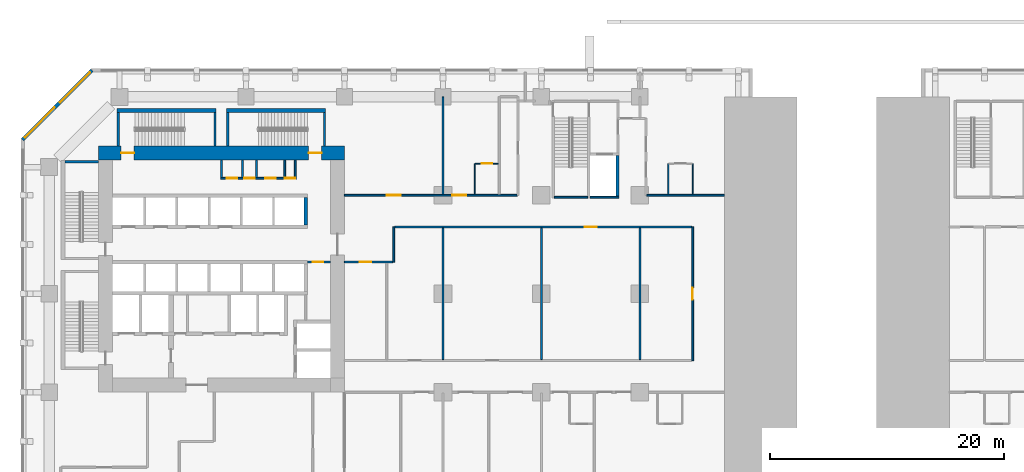
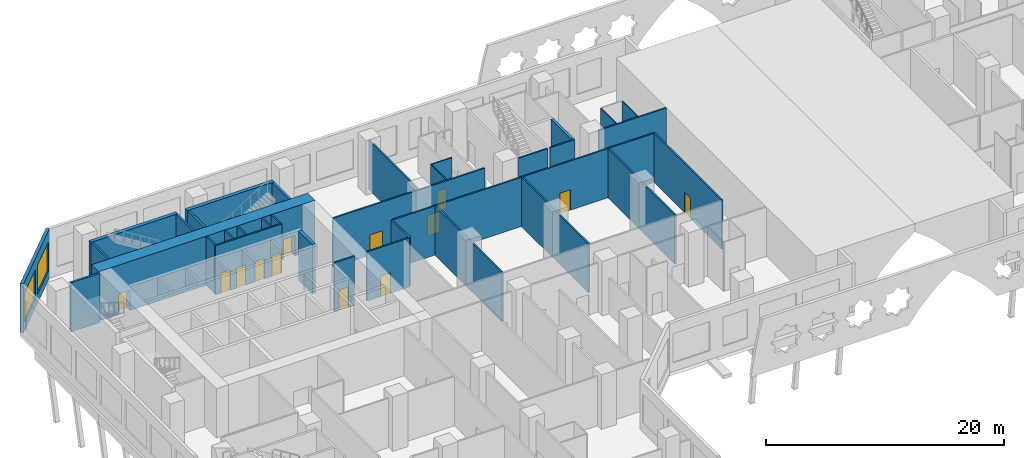
# One storey, part 11 of 24: 34 walls, 13 doors, 2 windows, 15 openings.
"""IFC4 building model written with IfcOpenShell, lengths in metres."""

from ifc_helpers import new_model, si_unit, direction, frame, frame_2d, origin, place, context, subcontext, project, spatial, rectangle, extrude, material, layer, layer_set, type_object, element, fill, save


model = new_model("IFC4")

# Units and contexts
model_context = context("Model", 3, precision=1e-05, world=origin(), true_north=direction((0.0, 1.0)))
body_context = subcontext(model_context, "Body", "Model", "MODEL_VIEW")
ifc_project = project(units=[si_unit("LENGTHUNIT", "METRE"), si_unit("AREAUNIT", "SQUARE_METRE"), si_unit("VOLUMEUNIT", "CUBIC_METRE"), si_unit("PLANEANGLEUNIT", "RADIAN"), si_unit("MASSUNIT", "GRAM", prefix="KILO")], contexts=[model_context])

# Site, building, storey
site_placement = place(None, origin())
site = spatial("IfcSite", under=ifc_project, at=site_placement, CompositionType="ELEMENT")
building_placement = place(site_placement, origin())
building = spatial("IfcBuilding", under=site, at=building_placement, Name="Kawkab Arch Medical Tower", CompositionType="ELEMENT")
storey_placement = place(building_placement, frame((0.0, 0.0, 18.199951171875)))
storey = spatial("IfcBuildingStorey", under=building, at=storey_placement, Name="L04", CompositionType="ELEMENT", Elevation=18.199951171875)

# Wall, openings, doors
ifc_material_1 = material(Name="Concrete C60/75", Category="concrete")
ifc_layer_1 = layer(ifc_material_1, 1.199951171875)
ifc_layer_set_1 = layer_set([ifc_layer_1], Name="Concrete C60/75")
wall_type_1 = type_object("IfcWallType", Name="Core ring wall 1200 C60/75", PredefinedType="SHEAR", material=ifc_layer_set_1)
wall_1_placement = place(storey_placement, frame((4.199951171875, -4.800048828125, 0.0), z_axis=(0.0, 0.0, 1.0), x_axis=(1.0, 0.0, 0.0)))
wall_1 = element("IfcWall", 1, at=wall_1_placement, inside=storey, type_object=wall_type_1, Name="L04 core wall", PredefinedType="SHEAR", context=body_context, shape_type="SweptSolid", body=[
    extrude(rectangle(XDim=21.0, YDim=1.199951171875, at=frame_2d((10.5, 0.0))), origin(), (0.0, 0.0, 1.0), 5.050048828125),
])
opening_1_placement = place(wall_1_placement, frame((1.949951171875, 0.0, 0.0)))
opening_1 = element("IfcOpeningElement", 2, at=opening_1_placement, cuts=wall_1, Name="Opening SD", PredefinedType="OPENING", context=body_context, shape_type="SweptSolid", body=[
    extrude(rectangle(XDim=1.10009765625, YDim=2.10009765625, at=frame_2d((0.550048828125, 1.050048828125))), frame((0.0, 0.60986328125, 0.0), z_axis=(0.0, -1.0, 0.0), x_axis=(1.0, 0.0, 0.0)), (0.0, 0.0, 1.0), 1.219970703125),
])
opening_2_placement = place(wall_1_placement, frame((17.949951171875, 0.0, 0.0)))
opening_2 = element("IfcOpeningElement", 3, at=opening_2_placement, cuts=wall_1, Name="Opening SD", PredefinedType="OPENING", context=body_context, shape_type="SweptSolid", body=[
    extrude(rectangle(XDim=1.10009765625, YDim=2.10009765625, at=frame_2d((0.550048828125, 1.050048828125))), frame((0.0, 0.60986328125, 0.0), z_axis=(0.0, -1.0, 0.0), x_axis=(1.0, 0.0, 0.0)), (0.0, 0.0, 1.0), 1.219970703125),
])
ifc_material_2 = material(Name="Hollow metal fire door leaf")
door_type_1 = type_object("IfcDoorType", Name="Exit stair door 1100", OperationType="SINGLE_SWING_LEFT", PredefinedType="DOOR", material=ifc_material_2)
door_1_placement = place(opening_1_placement, origin())
door_1 = element("IfcDoor", 4, at=door_1_placement, inside=storey, type_object=door_type_1, Name="L04 Exit stair ST3 door", OperationType="SINGLE_SWING_LEFT", OverallHeight=2.10009765625, OverallWidth=1.10009765625, PredefinedType="DOOR", context=body_context, shape_type="SweptSolid", body=[
    extrude(rectangle(XDim=1.10009765625, YDim=2.10009765625, at=frame_2d((0.550048828125, 1.050048828125))), frame((0.0, 0.02490234375, 0.0), z_axis=(0.0, -1.0, 0.0), x_axis=(1.0, 0.0, 0.0)), (0.0, 0.0, 1.0), 0.050048828125),
])
fill(opening_1, door_1)
door_2_placement = place(opening_2_placement, origin())
door_2 = element("IfcDoor", 5, at=door_2_placement, inside=storey, type_object=door_type_1, Name="L04 Exit stair ST4 door", OperationType="SINGLE_SWING_LEFT", OverallHeight=2.10009765625, OverallWidth=1.10009765625, PredefinedType="DOOR", context=body_context, shape_type="SweptSolid", body=[
    extrude(rectangle(XDim=1.10009765625, YDim=2.10009765625, at=frame_2d((0.550048828125, 1.050048828125))), frame((0.0, 0.02490234375, 0.0), z_axis=(0.0, -1.0, 0.0), x_axis=(1.0, 0.0, 0.0)), (0.0, 0.0, 1.0), 0.050048828125),
])
fill(opening_2, door_2)

# Wall, opening, door
ifc_material_3 = material(Name="Gypsum board on steel studs", Category="steel")
ifc_layer_2 = layer(ifc_material_3, 0.14990234375)
ifc_layer_set_2 = layer_set([ifc_layer_2], Name="Gypsum board on steel studs")
wall_type_2 = type_object("IfcWallType", Name="Core room partition 150", PredefinedType="PARTITIONING", material=ifc_layer_set_2)
wall_2_placement = place(storey_placement, frame((22.050048828125, -14.10009765625, 0.0), z_axis=(0.0, 0.0, 1.0), x_axis=(1.0, 0.0, 0.0)))
wall_2 = element("IfcWall", 6, at=wall_2_placement, inside=storey, type_object=wall_type_2, Name="L04 core room partition", PredefinedType="PARTITIONING", context=body_context, shape_type="SweptSolid", body=[
    extrude(rectangle(XDim=1.949951171875, YDim=0.14990234375, at=frame_2d((0.97509765625, 0.0))), origin(), (0.0, 0.0, 1.0), 5.050048828125),
])
opening_3_placement = place(wall_2_placement, frame((0.449951171875, 0.0, 0.0)))
opening_3 = element("IfcOpeningElement", 7, at=opening_3_placement, cuts=wall_2, Name="Opening RD", PredefinedType="OPENING", context=body_context, shape_type="SweptSolid", body=[
    extrude(rectangle(XDim=0.89990234375, YDim=2.10009765625, at=frame_2d((0.449951171875, 1.050048828125))), frame((0.0, 0.0849609375, 0.0), z_axis=(0.0, -1.0, 0.0), x_axis=(1.0, 0.0, 0.0)), (0.0, 0.0, 1.0), 0.169921875),
])
ifc_material_4 = material(Name="Hollow metal fire door leaf")
door_type_2 = type_object("IfcDoorType", Name="Core room door 900", OperationType="SINGLE_SWING_LEFT", PredefinedType="DOOR", material=ifc_material_4)
door_3_placement = place(opening_3_placement, origin())
door_3 = element("IfcDoor", 8, at=door_3_placement, inside=storey, type_object=door_type_2, Name="L04 Data room door", OperationType="SINGLE_SWING_LEFT", OverallHeight=2.10009765625, OverallWidth=0.89990234375, PredefinedType="DOOR", context=body_context, shape_type="SweptSolid", body=[
    extrude(rectangle(XDim=0.89990234375, YDim=2.10009765625, at=frame_2d((0.449951171875, 1.050048828125))), frame((0.0, 0.02490234375, 0.0), z_axis=(0.0, -1.0, 0.0), x_axis=(1.0, 0.0, 0.0)), (0.0, 0.0, 1.0), 0.050048828125),
])
fill(opening_3, door_3)

# Wall, openings, doors
wall_3_placement = place(storey_placement, frame((14.625, -6.949951171875, 0.0), z_axis=(0.0, 0.0, 1.0), x_axis=(1.0, 0.0, 0.0)))
wall_3 = element("IfcWall", 9, at=wall_3_placement, inside=storey, type_object=wall_type_2, Name="L04 core room partition", PredefinedType="PARTITIONING", context=body_context, shape_type="SweptSolid", body=[
    extrude(rectangle(XDim=6.449951171875, YDim=0.14990234375, at=frame_2d((3.22509765625, 0.0))), origin(), (0.0, 0.0, 1.0), 5.050048828125),
])
opening_4_placement = place(wall_3_placement, frame((0.52490234375, 0.0, 0.0)))
opening_4 = element("IfcOpeningElement", 10, at=opening_4_placement, cuts=wall_3, Name="Opening RD", PredefinedType="OPENING", context=body_context, shape_type="SweptSolid", body=[
    extrude(rectangle(XDim=0.89990234375, YDim=2.10009765625, at=frame_2d((0.449951171875, 1.050048828125))), frame((0.0, 0.0849609375, 0.0), z_axis=(0.0, -1.0, 0.0), x_axis=(1.0, 0.0, 0.0)), (0.0, 0.0, 1.0), 0.169921875),
])
opening_5_placement = place(wall_3_placement, frame((2.02490234375, 0.0, 0.0)))
opening_5 = element("IfcOpeningElement", 11, at=opening_5_placement, cuts=wall_3, Name="Opening RD", PredefinedType="OPENING", context=body_context, shape_type="SweptSolid", body=[
    extrude(rectangle(XDim=0.89990234375, YDim=2.10009765625, at=frame_2d((0.449951171875, 1.050048828125))), frame((0.0, 0.0849609375, 0.0), z_axis=(0.0, -1.0, 0.0), x_axis=(1.0, 0.0, 0.0)), (0.0, 0.0, 1.0), 0.169921875),
])
opening_6_placement = place(wall_3_placement, frame((3.824951171875, 0.0, 0.0)))
opening_6 = element("IfcOpeningElement", 12, at=opening_6_placement, cuts=wall_3, Name="Opening RD", PredefinedType="OPENING", context=body_context, shape_type="SweptSolid", body=[
    extrude(rectangle(XDim=0.89990234375, YDim=2.10009765625, at=frame_2d((0.449951171875, 1.050048828125))), frame((0.0, 0.0849609375, 0.0), z_axis=(0.0, -1.0, 0.0), x_axis=(1.0, 0.0, 0.0)), (0.0, 0.0, 1.0), 0.169921875),
])
opening_7_placement = place(wall_3_placement, frame((5.47509765625, 0.0, 0.0)))
opening_7 = element("IfcOpeningElement", 13, at=opening_7_placement, cuts=wall_3, Name="Opening RD", PredefinedType="OPENING", context=body_context, shape_type="SweptSolid", body=[
    extrude(rectangle(XDim=0.89990234375, YDim=2.10009765625, at=frame_2d((0.449951171875, 1.050048828125))), frame((0.0, 0.0849609375, 0.0), z_axis=(0.0, -1.0, 0.0), x_axis=(1.0, 0.0, 0.0)), (0.0, 0.0, 1.0), 0.169921875),
])
door_4_placement = place(opening_4_placement, origin())
door_4 = element("IfcDoor", 14, at=door_4_placement, inside=storey, type_object=door_type_2, Name="L04 Comms room door", OperationType="SINGLE_SWING_LEFT", OverallHeight=2.10009765625, OverallWidth=0.89990234375, PredefinedType="DOOR", context=body_context, shape_type="SweptSolid", body=[
    extrude(rectangle(XDim=0.89990234375, YDim=2.10009765625, at=frame_2d((0.449951171875, 1.050048828125))), frame((0.0, 0.02490234375, 0.0), z_axis=(0.0, -1.0, 0.0), x_axis=(1.0, 0.0, 0.0)), (0.0, 0.0, 1.0), 0.050048828125),
])
fill(opening_4, door_4)
door_5_placement = place(opening_5_placement, origin())
door_5 = element("IfcDoor", 15, at=door_5_placement, inside=storey, type_object=door_type_2, Name="L04 Electrical riser room door", OperationType="SINGLE_SWING_LEFT", OverallHeight=2.10009765625, OverallWidth=0.89990234375, PredefinedType="DOOR", context=body_context, shape_type="SweptSolid", body=[
    extrude(rectangle(XDim=0.89990234375, YDim=2.10009765625, at=frame_2d((0.449951171875, 1.050048828125))), frame((0.0, 0.02490234375, 0.0), z_axis=(0.0, -1.0, 0.0), x_axis=(1.0, 0.0, 0.0)), (0.0, 0.0, 1.0), 0.050048828125),
])
fill(opening_5, door_5)
door_6_placement = place(opening_6_placement, origin())
door_6 = element("IfcDoor", 16, at=door_6_placement, inside=storey, type_object=door_type_2, Name="L04 General store door", OperationType="SINGLE_SWING_LEFT", OverallHeight=2.10009765625, OverallWidth=0.89990234375, PredefinedType="DOOR", context=body_context, shape_type="SweptSolid", body=[
    extrude(rectangle(XDim=0.89990234375, YDim=2.10009765625, at=frame_2d((0.449951171875, 1.050048828125))), frame((0.0, 0.02490234375, 0.0), z_axis=(0.0, -1.0, 0.0), x_axis=(1.0, 0.0, 0.0)), (0.0, 0.0, 1.0), 0.050048828125),
])
fill(opening_6, door_6)
door_7_placement = place(opening_7_placement, origin())
door_7 = element("IfcDoor", 17, at=door_7_placement, inside=storey, type_object=door_type_2, Name="L04 UPS room door", OperationType="SINGLE_SWING_LEFT", OverallHeight=2.10009765625, OverallWidth=0.89990234375, PredefinedType="DOOR", context=body_context, shape_type="SweptSolid", body=[
    extrude(rectangle(XDim=0.89990234375, YDim=2.10009765625, at=frame_2d((0.449951171875, 1.050048828125))), frame((0.0, 0.02490234375, 0.0), z_axis=(0.0, -1.0, 0.0), x_axis=(1.0, 0.0, 0.0)), (0.0, 0.0, 1.0), 0.050048828125),
])
fill(opening_7, door_7)

# Walls
for number, where, z_axis, x_axis, name in (
    (18, (14.699951171875, -6.875, 0.0), (0.0, 0.0, 1.0), (0.0, 1.0, 0.0), "L04 core room partition"),
    (19, (16.5, -6.875, 0.0), (0.0, 0.0, 1.0), (0.0, 1.0, 0.0), "L04 core room partition"),
    (20, (17.699951171875, -6.875, 0.0), (0.0, 0.0, 1.0), (0.0, 1.0, 0.0), "L04 core room partition"),
    (21, (20.10009765625, -6.875, 0.0), (0.0, 0.0, 1.0), (0.0, 1.0, 0.0), "L04 core room partition"),
    (22, (21.0, -6.875, 0.0), (0.0, 0.0, 1.0), (0.0, 1.0, 0.0), "L04 core room partition"),
):
    element("IfcWall", number, at=place(storey_placement, frame(where, z_axis=z_axis, x_axis=x_axis)), inside=storey, type_object=wall_type_2, Name=name, PredefinedType="PARTITIONING", context=body_context, shape_type="SweptSolid", body=[
        extrude(rectangle(XDim=1.47509765625, YDim=0.14990234375, at=frame_2d((0.737548828125, 0.0))), origin(), (0.0, 0.0, 1.0), 5.050048828125),
    ])
ifc_material_5 = material(Name="Concrete C60/75", Category="concrete")
ifc_layer_3 = layer(ifc_material_5, 0.25)
ifc_layer_set_3 = layer_set([ifc_layer_3], Name="Concrete C60/75")
wall_type_3 = type_object("IfcWallType", Name="Core shear wall 250 C60/75", PredefinedType="SHEAR", material=ifc_layer_set_3)
wall_4_placement = place(storey_placement, frame((48.47509765625, -8.5, 0.0), z_axis=(0.0, 0.0, 1.0), x_axis=(0.0, 1.0, 0.0)))
element("IfcWall", 23, at=wall_4_placement, inside=storey, type_object=wall_type_3, Name="L04 core shear wall", PredefinedType="SHEAR", context=body_context, shape_type="SweptSolid", body=[
    extrude(rectangle(XDim=3.47509765625, YDim=0.25, at=frame_2d((1.737548828125, 0.0))), origin(), (0.0, 0.0, 1.0), 5.050048828125),
])
ifc_material_6 = material(Name="Concrete C60/75", Category="concrete")
ifc_layer_4 = layer(ifc_material_6, 0.300048828125)
ifc_layer_set_4 = layer_set([ifc_layer_4], Name="Concrete C60/75")
wall_type_4 = type_object("IfcWallType", Name="Core shear wall 300 C60/75", PredefinedType="SHEAR", material=ifc_layer_set_4)
wall_5_placement = place(storey_placement, frame((21.89990234375, -10.949951171875, 0.0), z_axis=(0.0, 0.0, 1.0), x_axis=(0.0, 1.0, 0.0)))
element("IfcWall", 24, at=wall_5_placement, inside=storey, type_object=wall_type_4, Name="L04 core shear wall", PredefinedType="SHEAR", context=body_context, shape_type="SweptSolid", body=[
    extrude(rectangle(XDim=2.349853515625, YDim=0.300048828125, at=frame_2d((1.1748046875, 0.0))), origin(), (0.0, 0.0, 1.0), 5.050048828125),
])

# Wall, opening, door
ifc_material_7 = material(Name="Gypsum board partition on steel studs", Category="steel")
ifc_layer_5 = layer(ifc_material_7, 0.10009765625)
ifc_layer_set_5 = layer_set([ifc_layer_5], Name="Gypsum board partition on steel studs")
wall_type_5 = type_object("IfcWallType", Name="Partition 100", PredefinedType="PARTITIONING", material=ifc_layer_set_5)
wall_6_placement = place(storey_placement, frame((36.35009765625, -5.699951171875, 0.0), z_axis=(0.0, 0.0, 1.0), x_axis=(1.0, 0.0, 0.0)))
wall_6 = element("IfcWall", 25, at=wall_6_placement, inside=storey, type_object=wall_type_5, Name="Partition 100 w019", PredefinedType="PARTITIONING", context=body_context, shape_type="SweptSolid", body=[
    extrude(rectangle(XDim=1.974853515625, YDim=0.10009765625, at=frame_2d((0.9873046875, 0.0))), origin(), (0.0, 0.0, 1.0), 5.050048828125),
])
opening_8_placement = place(wall_6_placement, frame((0.550048828125, 0.0, 0.0)))
opening_8 = element("IfcOpeningElement", 26, at=opening_8_placement, cuts=wall_6, Name="Opening P04-001", PredefinedType="OPENING", context=body_context, shape_type="SweptSolid", body=[
    extrude(rectangle(XDim=0.89990234375, YDim=2.10009765625, at=frame_2d((0.449951171875, 1.050048828125))), frame((0.0, 0.06005859375, 0.0), z_axis=(0.0, -1.0, 0.0), x_axis=(1.0, 0.0, 0.0)), (0.0, 0.0, 1.0), 0.1201171875),
])
ifc_material_8 = material(Name="Timber door leaf", Category="wood")
door_type_3 = type_object("IfcDoorType", Name="Single door 900x2100", OperationType="NOTDEFINED", PredefinedType="DOOR", material=ifc_material_8)
door_8_placement = place(opening_8_placement, origin())
door_8 = element("IfcDoor", 27, at=door_8_placement, inside=storey, type_object=door_type_3, Name="Door P04-001", OperationType="SINGLE_SWING_RIGHT", OverallHeight=2.10009765625, OverallWidth=0.89990234375, PredefinedType="DOOR", context=body_context, shape_type="SweptSolid", body=[
    extrude(rectangle(XDim=0.89990234375, YDim=2.10009765625, at=frame_2d((0.449951171875, 1.050048828125))), frame((0.0, 0.02490234375, 0.0), z_axis=(0.0, -1.0, 0.0), x_axis=(1.0, 0.0, 0.0)), (0.0, 0.0, 1.0), 0.050048828125),
])
fill(opening_8, door_8)

# Walls
wall_7_placement = place(storey_placement, frame((36.300048828125, -8.324951171875, 0.0), z_axis=(0.0, 0.0, 1.0), x_axis=(0.0, 1.0, 0.0)))
element("IfcWall", 28, at=wall_7_placement, inside=storey, type_object=wall_type_5, Name="Partition 100 w030", PredefinedType="PARTITIONING", context=body_context, shape_type="SweptSolid", body=[
    extrude(rectangle(XDim=2.625, YDim=0.10009765625, at=frame_2d((1.3125, 0.0))), origin(), (0.0, 0.0, 1.0), 5.050048828125),
])
for number, where, z_axis, x_axis, name in (
    (29, (52.820068359375, -8.324951171875, 0.0), (0.0, 0.0, 1.0), (0.0, 1.0, 0.0), "Partition 100 w033"),
    (30, (54.89990234375, -8.324951171875, 0.0), (0.0, 0.0, 1.0), (0.0, 1.0, 0.0), "Partition 100 w035"),
):
    element("IfcWall", number, at=place(storey_placement, frame(where, z_axis=z_axis, x_axis=x_axis)), inside=storey, type_object=wall_type_5, Name=name, PredefinedType="PARTITIONING", context=body_context, shape_type="SweptSolid", body=[
        extrude(rectangle(XDim=2.623046875, YDim=0.10009765625, at=frame_2d((1.3115234375, 0.0))), origin(), (0.0, 0.0, 1.0), 5.050048828125),
    ])

# Wall, opening, door
ifc_material_9 = material(Name="Gypsum board partition on steel studs, mineral wool", Category="steel")
ifc_layer_6 = layer(ifc_material_9, 0.14990234375)
ifc_layer_set_6 = layer_set([ifc_layer_6], Name="Gypsum board partition on steel studs, mineral wool")
wall_type_6 = type_object("IfcWallType", Name="Partition 150", PredefinedType="PARTITIONING", material=ifc_layer_set_6)
wall_8_placement = place(storey_placement, frame((25.199951171875, -14.10009765625, 0.0), z_axis=(0.0, 0.0, 1.0), x_axis=(1.0, 0.0, 0.0)))
wall_8 = element("IfcWall", 31, at=wall_8_placement, inside=storey, type_object=wall_type_6, Name="Partition 150 w076", PredefinedType="PARTITIONING", context=body_context, shape_type="SweptSolid", body=[
    extrude(rectangle(XDim=4.125, YDim=0.14990234375, at=frame_2d((2.0625, 0.0))), origin(), (0.0, 0.0, 1.0), 5.050048828125),
])
opening_9_placement = place(wall_8_placement, frame((1.300048828125, 0.0, 0.0)))
opening_9 = element("IfcOpeningElement", 32, at=opening_9_placement, cuts=wall_8, Name="Opening P04-020", PredefinedType="OPENING", context=body_context, shape_type="SweptSolid", body=[
    extrude(rectangle(XDim=1.0, YDim=2.10009765625, at=frame_2d((0.5, 1.050048828125))), frame((0.0, 0.0849609375, 0.0), z_axis=(0.0, -1.0, 0.0), x_axis=(1.0, 0.0, 0.0)), (0.0, 0.0, 1.0), 0.169921875),
])
ifc_material_10 = material(Name="Hollow metal door leaf")
door_type_4 = type_object("IfcDoorType", Name="Single door 1000x2100 FD30S", OperationType="NOTDEFINED", PredefinedType="DOOR", material=ifc_material_10)
door_9_placement = place(opening_9_placement, origin())
door_9 = element("IfcDoor", 33, at=door_9_placement, inside=storey, type_object=door_type_4, Name="Door P04-020", OperationType="SINGLE_SWING_LEFT", OverallHeight=2.10009765625, OverallWidth=1.0, PredefinedType="DOOR", context=body_context, shape_type="SweptSolid", body=[
    extrude(rectangle(XDim=1.0, YDim=2.10009765625, at=frame_2d((0.5, 1.050048828125))), frame((0.0, 0.02490234375, 0.0), z_axis=(0.0, -1.0, 0.0), x_axis=(1.0, 0.0, 0.0)), (0.0, 0.0, 1.0), 0.050048828125),
])
fill(opening_9, door_9)

wall_9_placement = place(storey_placement, frame((29.47509765625, -11.10009765625, 0.0), z_axis=(0.0, 0.0, 1.0), x_axis=(1.0, 0.0, 0.0)))
wall_9 = element("IfcWall", 34, at=wall_9_placement, inside=storey, type_object=wall_type_6, Name="Partition 150 w077", PredefinedType="PARTITIONING", context=body_context, shape_type="SweptSolid", body=[
    extrude(rectangle(XDim=25.349853515625, YDim=0.14990234375, at=frame_2d((12.6748046875, 0.0))), origin(), (0.0, 0.0, 1.0), 5.050048828125),
])
opening_10_placement = place(wall_9_placement, frame((16.22509765625, 0.0, 0.0)))
opening_10 = element("IfcOpeningElement", 35, at=opening_10_placement, cuts=wall_9, Name="Opening P04-023", PredefinedType="OPENING", context=body_context, shape_type="SweptSolid", body=[
    extrude(rectangle(XDim=1.0, YDim=2.10009765625, at=frame_2d((0.5, 1.050048828125))), frame((0.0, 0.0849609375, 0.0), z_axis=(0.0, -1.0, 0.0), x_axis=(1.0, 0.0, 0.0)), (0.0, 0.0, 1.0), 0.169921875),
])
door_10_placement = place(opening_10_placement, origin())
door_10 = element("IfcDoor", 36, at=door_10_placement, inside=storey, type_object=door_type_4, Name="Door P04-023", OperationType="SINGLE_SWING_LEFT", OverallHeight=2.10009765625, OverallWidth=1.0, PredefinedType="DOOR", context=body_context, shape_type="SweptSolid", body=[
    extrude(rectangle(XDim=1.0, YDim=2.10009765625, at=frame_2d((0.5, 1.050048828125))), frame((0.0, 0.02490234375, 0.0), z_axis=(0.0, -1.0, 0.0), x_axis=(1.0, 0.0, 0.0)), (0.0, 0.0, 1.0), 0.050048828125),
])
fill(opening_10, door_10)

# Wall, openings, doors
wall_10_placement = place(storey_placement, frame((25.199951171875, -8.39990234375, 0.0), z_axis=(0.0, 0.0, 1.0), x_axis=(1.0, 0.0, 0.0)))
wall_10 = element("IfcWall", 37, at=wall_10_placement, inside=storey, type_object=wall_type_6, Name="Partition 150 w080", PredefinedType="PARTITIONING", context=body_context, shape_type="SweptSolid", body=[
    extrude(rectangle(XDim=14.73193359375, YDim=0.14990234375, at=frame_2d((7.365966796875, 0.0))), origin(), (0.0, 0.0, 1.0), 5.050048828125),
])
opening_11_placement = place(wall_10_placement, frame((3.60009765625, 0.0, 0.0)))
opening_11 = element("IfcOpeningElement", 38, at=opening_11_placement, cuts=wall_10, Name="Opening P04-039", PredefinedType="OPENING", context=body_context, shape_type="SweptSolid", body=[
    extrude(rectangle(XDim=1.199951171875, YDim=2.10009765625, at=frame_2d((0.60009765625, 1.050048828125))), frame((0.0, 0.0849609375, 0.0), z_axis=(0.0, -1.0, 0.0), x_axis=(1.0, 0.0, 0.0)), (0.0, 0.0, 1.0), 0.169921875),
])
opening_12_placement = place(wall_10_placement, frame((9.199951171875, 0.0, 0.0)))
opening_12 = element("IfcOpeningElement", 39, at=opening_12_placement, cuts=wall_10, Name="Opening P04-040", PredefinedType="OPENING", context=body_context, shape_type="SweptSolid", body=[
    extrude(rectangle(XDim=1.199951171875, YDim=2.10009765625, at=frame_2d((0.60009765625, 1.050048828125))), frame((0.0, 0.0849609375, 0.0), z_axis=(0.0, -1.0, 0.0), x_axis=(1.0, 0.0, 0.0)), (0.0, 0.0, 1.0), 0.169921875),
])
ifc_material_11 = material(Name="Hollow metal door leaf")
door_type_5 = type_object("IfcDoorType", Name="Single door 1200x2100 FD30S", OperationType="NOTDEFINED", PredefinedType="DOOR", material=ifc_material_11)
door_11_placement = place(opening_11_placement, origin())
door_11 = element("IfcDoor", 40, at=door_11_placement, inside=storey, type_object=door_type_5, Name="Door P04-039", OperationType="SINGLE_SWING_LEFT", OverallHeight=2.10009765625, OverallWidth=1.199951171875, PredefinedType="DOOR", context=body_context, shape_type="SweptSolid", body=[
    extrude(rectangle(XDim=1.199951171875, YDim=2.10009765625, at=frame_2d((0.60009765625, 1.050048828125))), frame((0.0, 0.02490234375, 0.0), z_axis=(0.0, -1.0, 0.0), x_axis=(1.0, 0.0, 0.0)), (0.0, 0.0, 1.0), 0.050048828125),
])
fill(opening_11, door_11)
door_12_placement = place(opening_12_placement, origin())
door_12 = element("IfcDoor", 41, at=door_12_placement, inside=storey, type_object=door_type_5, Name="Door P04-040", OperationType="SINGLE_SWING_RIGHT", OverallHeight=2.10009765625, OverallWidth=1.199951171875, PredefinedType="DOOR", context=body_context, shape_type="SweptSolid", body=[
    extrude(rectangle(XDim=1.199951171875, YDim=2.10009765625, at=frame_2d((0.60009765625, 1.050048828125))), frame((0.0, 0.02490234375, 0.0), z_axis=(0.0, -1.0, 0.0), x_axis=(1.0, 0.0, 0.0)), (0.0, 0.0, 1.0), 0.050048828125),
])
fill(opening_12, door_12)

# Walls
wall_11_placement = place(storey_placement, frame((51.0, -8.39990234375, 0.0), z_axis=(0.0, 0.0, 1.0), x_axis=(1.0, 0.0, 0.0)))
element("IfcWall", 42, at=wall_11_placement, inside=storey, type_object=wall_type_6, Name="Partition 150 w081", PredefinedType="PARTITIONING", context=body_context, shape_type="SweptSolid", body=[
    extrude(rectangle(XDim=6.60009765625, YDim=0.14990234375, at=frame_2d((3.300048828125, 0.0))), origin(), (0.0, 0.0, 1.0), 5.050048828125),
])
wall_12_placement = place(storey_placement, frame((29.39990234375, -14.10009765625, 0.0), z_axis=(0.0, 0.0, 1.0), x_axis=(0.0, 1.0, 0.0)))
element("IfcWall", 43, at=wall_12_placement, inside=storey, type_object=wall_type_6, Name="Partition 150 w101", PredefinedType="PARTITIONING", context=body_context, shape_type="SweptSolid", body=[
    extrude(rectangle(XDim=3.0, YDim=0.14990234375, at=frame_2d((1.5, 0.0))), origin(), (0.0, 0.0, 1.0), 5.050048828125),
])
wall_13_placement = place(storey_placement, frame((33.60009765625, -22.425048828125, 0.0), z_axis=(0.0, 0.0, 1.0), x_axis=(0.0, 1.0, 0.0)))
element("IfcWall", 44, at=wall_13_placement, inside=storey, type_object=wall_type_6, Name="Partition 150 w104", PredefinedType="PARTITIONING", context=body_context, shape_type="SweptSolid", body=[
    extrude(rectangle(XDim=11.25, YDim=0.14990234375, at=frame_2d((5.625, 0.0))), origin(), (0.0, 0.0, 1.0), 5.050048828125),
])
wall_14_placement = place(storey_placement, frame((33.60009765625, -8.324951171875, 0.0), z_axis=(0.0, 0.0, 1.0), x_axis=(0.0, 1.0, 0.0)))
element("IfcWall", 45, at=wall_14_placement, inside=storey, type_object=wall_type_6, Name="Partition 150 w105", PredefinedType="PARTITIONING", context=body_context, shape_type="SweptSolid", body=[
    extrude(rectangle(XDim=8.322998046875, YDim=0.14990234375, at=frame_2d((4.16162109375, 0.0))), origin(), (0.0, 0.0, 1.0), 5.050048828125),
])
for number, where, z_axis, x_axis, name in (
    (46, (42.0, -22.425048828125, 0.0), (0.0, 0.0, 1.0), (0.0, 1.0, 0.0), "Partition 150 w112"),
    (47, (50.39990234375, -22.425048828125, 0.0), (0.0, 0.0, 1.0), (0.0, 1.0, 0.0), "Partition 150 w115"),
):
    element("IfcWall", number, at=place(storey_placement, frame(where, z_axis=z_axis, x_axis=x_axis)), inside=storey, type_object=wall_type_6, Name=name, PredefinedType="PARTITIONING", context=body_context, shape_type="SweptSolid", body=[
        extrude(rectangle(XDim=11.25, YDim=0.14990234375, at=frame_2d((5.625, 0.0))), origin(), (0.0, 0.0, 1.0), 5.050048828125),
    ])

# Wall, opening, door
wall_15_placement = place(storey_placement, frame((54.89990234375, -22.5, 0.0), z_axis=(0.0, 0.0, 1.0), x_axis=(0.0, 1.0, 0.0)))
wall_15 = element("IfcWall", 48, at=wall_15_placement, inside=storey, type_object=wall_type_6, Name="Partition 150 w119", PredefinedType="PARTITIONING", context=body_context, shape_type="SweptSolid", body=[
    extrude(rectangle(XDim=11.39990234375, YDim=0.14990234375, at=frame_2d((5.699951171875, 0.0))), origin(), (0.0, 0.0, 1.0), 5.050048828125),
])
opening_13_placement = place(wall_15_placement, frame((5.199951171875, 0.0, 0.0)))
opening_13 = element("IfcOpeningElement", 49, at=opening_13_placement, cuts=wall_15, Name="Opening P04-024", PredefinedType="OPENING", context=body_context, shape_type="SweptSolid", body=[
    extrude(rectangle(XDim=1.0, YDim=2.10009765625, at=frame_2d((0.5, 1.050048828125))), frame((0.0, 0.0849609375, 0.0), z_axis=(0.0, -1.0, 0.0), x_axis=(1.0, 0.0, 0.0)), (0.0, 0.0, 1.0), 0.169921875),
])
door_13_placement = place(opening_13_placement, origin())
door_13 = element("IfcDoor", 50, at=door_13_placement, inside=storey, type_object=door_type_4, Name="Door P04-024", OperationType="SINGLE_SWING_RIGHT", OverallHeight=2.10009765625, OverallWidth=1.0, PredefinedType="DOOR", context=body_context, shape_type="SweptSolid", body=[
    extrude(rectangle(XDim=1.0, YDim=2.10009765625, at=frame_2d((0.5, 1.050048828125))), frame((0.0, 0.02490234375, 0.0), z_axis=(0.0, -1.0, 0.0), x_axis=(1.0, 0.0, 0.0)), (0.0, 0.0, 1.0), 0.050048828125),
])
fill(opening_13, door_13)

# Wall, openings, windows
ifc_material_12 = material(Name="Bronze clad insulated wall panel")
ifc_layer_7 = layer(ifc_material_12, 0.300048828125)
ifc_layer_set_7 = layer_set([ifc_layer_7], Name="Bronze clad insulated wall panel")
wall_type_7 = type_object("IfcWallType", Name="Podium external wall 300", PredefinedType="SOLIDWALL", material=ifc_layer_set_7)
wall_16_placement = place(storey_placement, frame((3.662109375, 2.25, 0.0), z_axis=(0.0, 0.0, 1.0), x_axis=(-0.707106781187, -0.707106781187, 0.0)))
wall_16 = element("IfcWall", 51, at=wall_16_placement, inside=storey, type_object=wall_type_7, Name="Podium external wall L04 R06", PredefinedType="SOLIDWALL", context=body_context, shape_type="SweptSolid", body=[
    extrude(rectangle(XDim=8.361083984375, YDim=0.300048828125, at=frame_2d((4.1806640625, 0.0))), origin(), (0.0, 0.0, 1.0), 5.050048828125),
])
opening_14_placement = place(wall_16_placement, frame((0.259033203125, 0.0, 0.89990234375)))
opening_14 = element("IfcOpeningElement", 52, at=opening_14_placement, cuts=wall_16, Name="Opening PBW360-30-S9", PredefinedType="OPENING", context=body_context, shape_type="SweptSolid", body=[
    extrude(rectangle(XDim=3.60009765625, YDim=3.0, at=frame_2d((1.800048828125, 1.5))), frame((0.0, 0.159912109375, 0.0), z_axis=(0.0, -1.0, 0.0), x_axis=(1.0, 0.0, 0.0)), (0.0, 0.0, 1.0), 0.320068359375),
])
opening_15_placement = place(wall_16_placement, frame((4.501708984375, 0.0, 0.89990234375)))
opening_15 = element("IfcOpeningElement", 53, at=opening_15_placement, cuts=wall_16, Name="Opening PBW360-30-S9", PredefinedType="OPENING", context=body_context, shape_type="SweptSolid", body=[
    extrude(rectangle(XDim=3.60009765625, YDim=3.0, at=frame_2d((1.800048828125, 1.5))), frame((0.0, 0.159912109375, 0.0), z_axis=(0.0, -1.0, 0.0), x_axis=(1.0, 0.0, 0.0)), (0.0, 0.0, 1.0), 0.320068359375),
])
ifc_material_13 = material(Name="Bronze anodised aluminium louvred window", Category="aluminium")
window_type = type_object("IfcWindowType", Name="Podium band window 3600 x 3000 sill 900", PartitioningType="DOUBLE_PANEL_VERTICAL", PredefinedType="WINDOW", material=ifc_material_13)
window_1_placement = place(opening_14_placement, origin())
window_1 = element("IfcWindow", 54, at=window_1_placement, inside=storey, type_object=window_type, Name="Band window L04 R06.1", OverallHeight=3.0, OverallWidth=3.60009765625, PartitioningType="SINGLE_PANEL", PredefinedType="WINDOW", context=body_context, shape_type="SweptSolid", body=[
    extrude(rectangle(XDim=3.60009765625, YDim=3.0, at=frame_2d((1.800048828125, 1.5))), frame((0.0, 0.030029296875, 0.0), z_axis=(0.0, -1.0, 0.0), x_axis=(1.0, 0.0, 0.0)), (0.0, 0.0, 1.0), 0.06005859375),
])
fill(opening_14, window_1)
window_2_placement = place(opening_15_placement, origin())
window_2 = element("IfcWindow", 55, at=window_2_placement, inside=storey, type_object=window_type, Name="Band window L04 R06.2", OverallHeight=3.0, OverallWidth=3.60009765625, PartitioningType="SINGLE_PANEL", PredefinedType="WINDOW", context=body_context, shape_type="SweptSolid", body=[
    extrude(rectangle(XDim=3.60009765625, YDim=3.0, at=frame_2d((1.800048828125, 1.5))), frame((0.0, 0.030029296875, 0.0), z_axis=(0.0, -1.0, 0.0), x_axis=(1.0, 0.0, 0.0)), (0.0, 0.0, 1.0), 0.06005859375),
])
fill(opening_15, window_2)

# Walls
ifc_material_14 = material(Name="Concrete C50/60", Category="concrete")
ifc_layer_8 = layer(ifc_material_14, 0.14990234375)
ifc_layer_set_8 = layer_set([ifc_layer_8], Name="Concrete C50/60")
wall_type_8 = type_object("IfcWallType", Name="Stair enclosure wall 150 C50/60", PredefinedType="SHEAR", material=ifc_layer_set_8)
wall_17_placement = place(storey_placement, frame((43.10009765625, -8.574951171875, 0.0), z_axis=(0.0, 0.0, 1.0), x_axis=(1.0, 0.0, 0.0)))
element("IfcWall", 56, at=wall_17_placement, inside=storey, type_object=wall_type_8, Name="L04 stair enclosure wall", PredefinedType="SHEAR", context=body_context, shape_type="SweptSolid", body=[
    extrude(rectangle(XDim=2.849853515625, YDim=0.14990234375, at=frame_2d((1.4248046875, 0.0))), origin(), (0.0, 0.0, 1.0), 5.050048828125),
])
wall_18_placement = place(storey_placement, frame((46.14990234375, -8.574951171875, 0.0), z_axis=(0.0, 0.0, 1.0), x_axis=(1.0, 0.0, 0.0)))
element("IfcWall", 57, at=wall_18_placement, inside=storey, type_object=wall_type_8, Name="L04 stair enclosure wall", PredefinedType="SHEAR", context=body_context, shape_type="SweptSolid", body=[
    extrude(rectangle(XDim=2.4501953125, YDim=0.14990234375, at=frame_2d((1.22509765625, 0.0))), origin(), (0.0, 0.0, 1.0), 5.050048828125),
])
ifc_material_15 = material(Name="Concrete C50/60", Category="concrete")
ifc_layer_9 = layer(ifc_material_15, 0.199951171875)
ifc_layer_set_9 = layer_set([ifc_layer_9], Name="Concrete C50/60")
wall_type_9 = type_object("IfcWallType", Name="Stair enclosure wall 200 C50/60", PredefinedType="SHEAR", material=ifc_layer_set_9)
for number, where, z_axis, x_axis, name in (
    (58, (1.35009765625, -5.550048828125, 0.0), (0.0, 0.0, 1.0), (1.0, 0.0, 0.0), "L04 stair enclosure wall"),
    (59, (5.89990234375, -4.199951171875, 0.0), (0.0, 0.0, 1.0), (0.0, 1.0, 0.0), "L04 stair enclosure wall"),
    (60, (14.14990234375, -4.199951171875, 0.0), (0.0, 0.0, 1.0), (0.0, 1.0, 0.0), "L04 stair enclosure wall"),
    (61, (15.25, -4.199951171875, 0.0), (0.0, 0.0, 1.0), (0.0, 1.0, 0.0), "L04 stair enclosure wall"),
    (62, (23.5, -4.199951171875, 0.0), (0.0, 0.0, 1.0), (0.0, 1.0, 0.0), "L04 stair enclosure wall"),
):
    element("IfcWall", number, at=place(storey_placement, frame(where, z_axis=z_axis, x_axis=x_axis)), inside=storey, type_object=wall_type_9, Name=name, PredefinedType="SHEAR", context=body_context, shape_type="SweptSolid", body=[
        extrude(rectangle(XDim=2.849853515625, YDim=0.199951171875, at=frame_2d((1.4248046875, 0.0))), origin(), (0.0, 0.0, 1.0), 5.050048828125),
    ])
ifc_material_16 = material(Name="Concrete C50/60", Category="concrete")
ifc_layer_10 = layer(ifc_material_16, 0.35009765625)
ifc_layer_set_10 = layer_set([ifc_layer_10], Name="Concrete C50/60")
wall_type_10 = type_object("IfcWallType", Name="Stair enclosure wall 350 C50/60", PredefinedType="SHEAR", material=ifc_layer_set_10)
wall_19_placement = place(storey_placement, frame((5.800048828125, -1.175048828125, 0.0), z_axis=(0.0, 0.0, 1.0), x_axis=(1.0, 0.0, 0.0)))
element("IfcWall", 63, at=wall_19_placement, inside=storey, type_object=wall_type_10, Name="L04 stair enclosure wall", PredefinedType="SHEAR", context=body_context, shape_type="SweptSolid", body=[
    extrude(rectangle(XDim=8.449951171875, YDim=0.35009765625, at=frame_2d((4.22509765625, 0.0))), origin(), (0.0, 0.0, 1.0), 5.050048828125),
])
wall_20_placement = place(storey_placement, frame((15.14990234375, -1.175048828125, 0.0), z_axis=(0.0, 0.0, 1.0), x_axis=(1.0, 0.0, 0.0)))
element("IfcWall", 64, at=wall_20_placement, inside=storey, type_object=wall_type_10, Name="L04 stair enclosure wall", PredefinedType="SHEAR", context=body_context, shape_type="SweptSolid", body=[
    extrude(rectangle(XDim=8.4501953125, YDim=0.35009765625, at=frame_2d((4.22509765625, 0.0))), origin(), (0.0, 0.0, 1.0), 5.050048828125),
])

save(model, "model.ifc")
